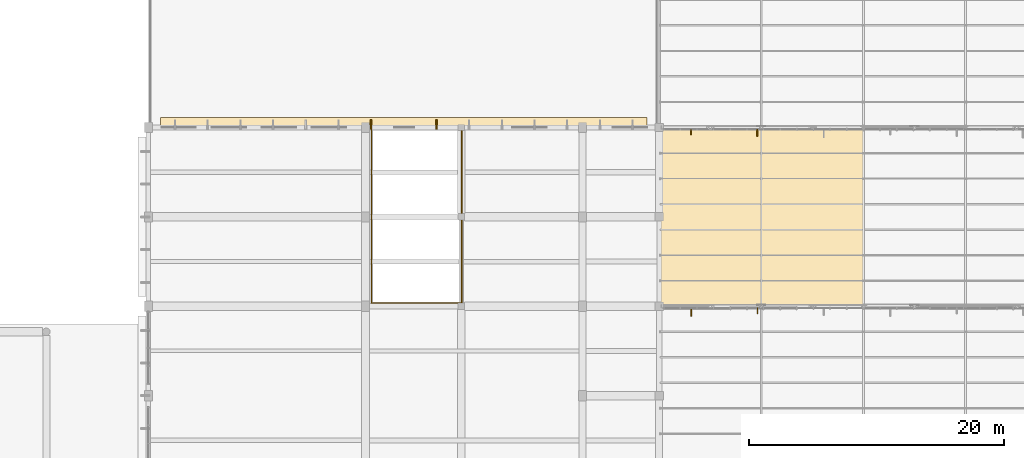
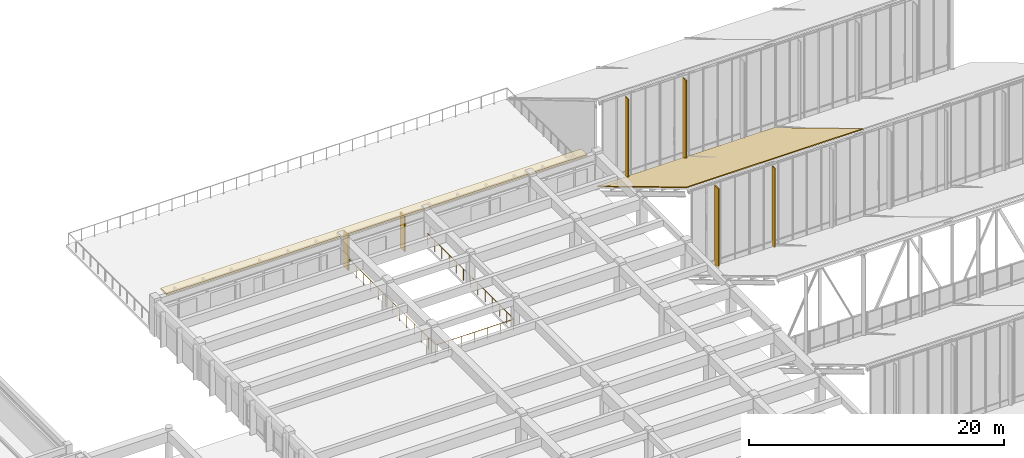
# One storey, part 153 of 155: 4 coverings, 4 shading devices, 1 railing.
"""IFC4 building model written with IfcOpenShell, lengths in metres."""

from ifc_helpers import new_model, si_unit, direction, frame, origin, origin_2d, place, context, subcontext, project, spatial, polyline, rectangle, circle, outline, extrude, material, layer, layer_set, type_object, element, save


model = new_model("IFC4")

# Units and contexts
model_context = context("Model", 3, precision=1e-05, world=origin(), true_north=direction((0.0, 1.0)))
body_context = subcontext(model_context, "Body", "Model", "MODEL_VIEW")
ifc_project = project(units=[si_unit("LENGTHUNIT", "METRE"), si_unit("AREAUNIT", "SQUARE_METRE"), si_unit("VOLUMEUNIT", "CUBIC_METRE"), si_unit("PLANEANGLEUNIT", "RADIAN"), si_unit("MASSUNIT", "GRAM", prefix="KILO")], contexts=[model_context])

# Site, building, storey
site_placement = place(None, origin())
site = spatial("IfcSite", under=ifc_project, at=site_placement, CompositionType="ELEMENT")
building_placement = place(site_placement, origin())
building = spatial("IfcBuilding", under=site, at=building_placement, Name="Larkveld Mobility Hub", CompositionType="ELEMENT")
storey_placement = place(building_placement, frame((0.0, 0.0, 8.39990234375)))
storey = spatial("IfcBuildingStorey", under=building, at=storey_placement, Name="L02", CompositionType="ELEMENT", Elevation=8.39990234375)

# Coverings
ifc_material_1 = material(Name="Precast concrete C50/60", Category="concrete")
ifc_layer_1 = layer(ifc_material_1, 0.14990234375, Name="Precast concrete C50/60", Category="concrete")
ifc_layer_set_1 = layer_set([ifc_layer_1], Name="Precast concrete C50/60")
covering_type_1 = type_object("IfcCoveringType", Name="COV-QSL-H01", PredefinedType="CLADDING", material=ifc_layer_set_1)
covering_1_placement = place(storey_placement, frame((132.0, 112.340087890625, 3.3701171875), z_axis=(0.0, 0.0, 1.0), x_axis=(-1.0, 0.0, 0.0)))
element("IfcCovering", 1, at=covering_1_placement, inside=storey, type_object=covering_type_1, Name="Precast Quebra-Sol Horizontal Sunbreaker QSH-485", PredefinedType="CLADDING", context=body_context, shape_type="SweptSolid", body=[
    extrude(rectangle(XDim=38.10009765625, YDim=0.919921875, at=origin_2d()), origin(), (0.0, 0.0, 1.0), 0.14990234375),
])
ifc_layer_2 = layer(ifc_material_1, 0.1201171875, Name="Precast concrete C50/60", Category="concrete")
ifc_layer_set_2 = layer_set([ifc_layer_2], Name="Precast concrete C50/60")
covering_type_2 = type_object("IfcCoveringType", Name="COV-QSL-V01", PredefinedType="CLADDING", material=ifc_layer_set_2)
for number, where, z_axis, x_axis, name in (
    (2, (134.56005859375, 112.239990234375, -0.019287109375), (0.0, 0.0, 1.0), (-1.0, 0.0, 0.0), "Precast Quebra-Sol Vertical Fin QSV-492"),
    (3, (129.43994140625, 112.239990234375, -0.019287109375), (0.0, 0.0, 1.0), (-1.0, 0.0, 0.0), "Precast Quebra-Sol Vertical Fin QSV-493"),
):
    element("IfcCovering", number, at=place(storey_placement, frame(where, z_axis=z_axis, x_axis=x_axis)), inside=storey, type_object=covering_type_2, Name=name, PredefinedType="CLADDING", context=body_context, shape_type="SweptSolid", body=[
        extrude(rectangle(XDim=0.1201171875, YDim=0.719970703125, at=origin_2d()), origin(), (0.0, 0.0, 1.0), 3.375),
    ])
ifc_material_2 = material(Name="Standing-seam zinc-alume roofing", Category="aluminium")
ifc_layer_3 = layer(ifc_material_2, 0.080078125, Name="Standing-seam zinc-alume roofing", Category="aluminium")
ifc_layer_set_3 = layer_set([ifc_layer_3], Name="Standing-seam zinc-alume roofing")
covering_type_3 = type_object("IfcCoveringType", Name="COV-RFG-01", PredefinedType="ROOFING", material=ifc_layer_set_3)
covering_2_placement = place(storey_placement, frame((152.0, 98.0, 8.482177734375), z_axis=(0.0, 0.51450235251, 0.857488967429), x_axis=(1.0, 0.0, 0.0)))
element("IfcCovering", 4, at=covering_2_placement, inside=storey, type_object=covering_type_3, Name="Sawtooth Standing-Seam Metal Roof B6.1", PredefinedType="ROOFING", context=body_context, shape_type="SweptSolid", body=[
    extrude(outline(polyline([(0.0, 0.0), (16.0, 0.0), (16.0, 16.326740671639204), (0.0, 16.326740671639204), (0.0, 0.0)])), origin(), (0.0, 0.0, -1.0), 0.080078125),
])

# Railing
ifc_material_3 = material(Name="Galvanized Steel S355JR void balustrade", Category="steel")
railing_type = type_object("IfcRailingType", Name="RL-GRD-1120", PredefinedType="GUARDRAIL", material=ifc_material_3)
railing_placement = place(storey_placement, frame((129.4599609375, 111.820068359375, 0.0)))
element("IfcRailing", 5, at=railing_placement, inside=storey, type_object=railing_type, Name="EV Ramp Void U-Guard L02 L02-061", PredefinedType="GUARDRAIL", context=body_context, shape_type="SweptSolid", body=[
    extrude(circle(Radius=0.02392578125, at=origin_2d()), frame((0.0, 0.0, 1.09619140625), z_axis=(0.0, -1.0, 0.0), x_axis=(1.0, 0.0, 0.0)), (0.0, 0.0, 1.0), 13.56005859375),
    extrude(circle(Radius=0.02392578125, at=origin_2d()), frame((0.0, -13.56005859375, 1.09619140625), z_axis=(1.0, 0.0, 0.0), x_axis=(0.0, 1.0, 0.0)), (0.0, 0.0, 1.0), 7.080078125),
    extrude(circle(Radius=0.02392578125, at=origin_2d()), frame((7.080078125, -13.56005859375, 1.09619140625), z_axis=(0.0, 1.0, 0.0), x_axis=(-1.0, 0.0, 0.0)), (0.0, 0.0, 1.0), 13.56005859375),
    extrude(circle(Radius=0.02099609375, at=origin_2d()), origin(), (0.0, 0.0, 1.0), 1.072021484375),
    extrude(circle(Radius=0.02099609375, at=origin_2d()), frame((0.0, -1.1298828125, 0.0)), (0.0, 0.0, 1.0), 1.072021484375),
    extrude(circle(Radius=0.02099609375, at=origin_2d()), frame((0.0, -2.260009765625, 0.0)), (0.0, 0.0, 1.0), 1.072021484375),
    extrude(circle(Radius=0.02099609375, at=origin_2d()), frame((0.0, -3.39013671875, 0.0)), (0.0, 0.0, 1.0), 1.072021484375),
    extrude(circle(Radius=0.02099609375, at=origin_2d()), frame((0.0, -4.52001953125, 0.0)), (0.0, 0.0, 1.0), 1.072021484375),
    extrude(circle(Radius=0.02099609375, at=origin_2d()), frame((0.0, -5.64990234375, 0.0)), (0.0, 0.0, 1.0), 1.072021484375),
    extrude(circle(Radius=0.02099609375, at=origin_2d()), frame((0.0, -6.780029296875, 0.0)), (0.0, 0.0, 1.0), 1.072021484375),
    extrude(circle(Radius=0.02099609375, at=origin_2d()), frame((0.0, -7.91015625, 0.0)), (0.0, 0.0, 1.0), 1.072021484375),
    extrude(circle(Radius=0.02099609375, at=origin_2d()), frame((0.0, -9.0400390625, 0.0)), (0.0, 0.0, 1.0), 1.072021484375),
    extrude(circle(Radius=0.02099609375, at=origin_2d()), frame((0.0, -10.169921875, 0.0)), (0.0, 0.0, 1.0), 1.072021484375),
    extrude(circle(Radius=0.02099609375, at=origin_2d()), frame((0.0, -11.300048828125, 0.0)), (0.0, 0.0, 1.0), 1.072021484375),
    extrude(circle(Radius=0.02099609375, at=origin_2d()), frame((0.0, -12.43017578125, 0.0)), (0.0, 0.0, 1.0), 1.072021484375),
    extrude(circle(Radius=0.02099609375, at=origin_2d()), frame((0.0, -13.56005859375, 0.0)), (0.0, 0.0, 1.0), 1.072021484375),
    extrude(circle(Radius=0.02099609375, at=origin_2d()), frame((1.179931640625, -13.56005859375, 0.0)), (0.0, 0.0, 1.0), 1.072021484375),
    extrude(circle(Radius=0.02099609375, at=origin_2d()), frame((2.360107421875, -13.56005859375, 0.0)), (0.0, 0.0, 1.0), 1.072021484375),
    extrude(circle(Radius=0.02099609375, at=origin_2d()), frame((3.5400390625, -13.56005859375, 0.0)), (0.0, 0.0, 1.0), 1.072021484375),
    extrude(circle(Radius=0.02099609375, at=origin_2d()), frame((4.719970703125, -13.56005859375, 0.0)), (0.0, 0.0, 1.0), 1.072021484375),
    extrude(circle(Radius=0.02099609375, at=origin_2d()), frame((5.900146484375, -13.56005859375, 0.0)), (0.0, 0.0, 1.0), 1.072021484375),
    extrude(circle(Radius=0.02099609375, at=origin_2d()), frame((7.080078125, -13.56005859375, 0.0)), (0.0, 0.0, 1.0), 1.072021484375),
    extrude(circle(Radius=0.02099609375, at=origin_2d()), frame((7.080078125, -12.43017578125, 0.0)), (0.0, 0.0, 1.0), 1.072021484375),
    extrude(circle(Radius=0.02099609375, at=origin_2d()), frame((7.080078125, -11.300048828125, 0.0)), (0.0, 0.0, 1.0), 1.072021484375),
    extrude(circle(Radius=0.02099609375, at=origin_2d()), frame((7.080078125, -10.169921875, 0.0)), (0.0, 0.0, 1.0), 1.072021484375),
    extrude(circle(Radius=0.02099609375, at=origin_2d()), frame((7.080078125, -9.0400390625, 0.0)), (0.0, 0.0, 1.0), 1.072021484375),
    extrude(circle(Radius=0.02099609375, at=origin_2d()), frame((7.080078125, -7.91015625, 0.0)), (0.0, 0.0, 1.0), 1.072021484375),
    extrude(circle(Radius=0.02099609375, at=origin_2d()), frame((7.080078125, -6.780029296875, 0.0)), (0.0, 0.0, 1.0), 1.072021484375),
    extrude(circle(Radius=0.02099609375, at=origin_2d()), frame((7.080078125, -5.64990234375, 0.0)), (0.0, 0.0, 1.0), 1.072021484375),
    extrude(circle(Radius=0.02099609375, at=origin_2d()), frame((7.080078125, -4.52001953125, 0.0)), (0.0, 0.0, 1.0), 1.072021484375),
    extrude(circle(Radius=0.02099609375, at=origin_2d()), frame((7.080078125, -3.39013671875, 0.0)), (0.0, 0.0, 1.0), 1.072021484375),
    extrude(circle(Radius=0.02099609375, at=origin_2d()), frame((7.080078125, -2.260009765625, 0.0)), (0.0, 0.0, 1.0), 1.072021484375),
    extrude(circle(Radius=0.02099609375, at=origin_2d()), frame((7.080078125, -1.1298828125, 0.0)), (0.0, 0.0, 1.0), 1.072021484375),
    extrude(circle(Radius=0.02099609375, at=origin_2d()), frame((7.080078125, 0.0, 0.0)), (0.0, 0.0, 1.0), 1.072021484375),
])

# Shading devices
ifc_layer_4 = layer(ifc_material_1, 0.06494140625, Name="Precast concrete C50/60", Category="concrete")
ifc_layer_set_4 = layer_set([ifc_layer_4], Name="Precast concrete C50/60")
shading_device_type_1 = type_object("IfcShadingDeviceType", Name="SHD-JAL-01", PredefinedType="JALOUSIE", material=ifc_layer_set_4)
for number, where, z_axis, x_axis, name in (
    (6, (159.699951171875, 97.639892578125, 0.300048828125), (0.0, 0.0, 1.0), (1.0, 0.0, 0.0), "Sawtooth South-Light Brise-Soleil Fin SF-032"),
    (7, (154.5, 111.639892578125, 0.300048828125), (0.0, 0.0, 1.0), (1.0, 0.0, 0.0), "Sawtooth South-Light Brise-Soleil Fin SF-037"),
):
    element("IfcShadingDevice", number, at=place(storey_placement, frame(where, z_axis=z_axis, x_axis=x_axis)), inside=storey, type_object=shading_device_type_1, Name=name, PredefinedType="JALOUSIE", context=body_context, shape_type="SweptSolid", body=[
        extrude(rectangle(XDim=0.06494140625, YDim=0.449951171875, at=origin_2d()), origin(), (0.0, 0.0, 1.0), 7.60009765625),
    ])
ifc_layer_5 = layer(ifc_material_1, 0.074951171875, Name="Precast concrete C50/60", Category="concrete")
ifc_layer_set_5 = layer_set([ifc_layer_5], Name="Precast concrete C50/60")
shading_device_type_2 = type_object("IfcShadingDeviceType", Name="SHD-JAL-02", PredefinedType="JALOUSIE", material=ifc_layer_set_5)
shading_device_1_placement = place(storey_placement, frame((159.699951171875, 111.590087890625, 0.300048828125), z_axis=(0.0, 0.0, 1.0), x_axis=(1.0, 0.0, 0.0)))
element("IfcShadingDevice", 8, at=shading_device_1_placement, inside=storey, type_object=shading_device_type_2, Name="Sawtooth South-Light Brise-Soleil Fin SF-038", PredefinedType="JALOUSIE", context=body_context, shape_type="SweptSolid", body=[
    extrude(rectangle(XDim=0.074951171875, YDim=0.550048828125, at=origin_2d()), origin(), (0.0, 0.0, 1.0), 7.60009765625),
])
ifc_layer_6 = layer(ifc_material_1, 0.0849609375, Name="Precast concrete C50/60", Category="concrete")
ifc_layer_set_6 = layer_set([ifc_layer_6], Name="Precast concrete C50/60")
shading_device_type_3 = type_object("IfcShadingDeviceType", Name="SHD-JAL-03", PredefinedType="JALOUSIE", material=ifc_layer_set_6)
shading_device_2_placement = place(storey_placement, frame((154.5, 97.5400390625, 0.300048828125), z_axis=(0.0, 0.0, 1.0), x_axis=(1.0, 0.0, 0.0)))
element("IfcShadingDevice", 9, at=shading_device_2_placement, inside=storey, type_object=shading_device_type_3, Name="Sawtooth South-Light Brise-Soleil Fin SF-031", PredefinedType="JALOUSIE", context=body_context, shape_type="SweptSolid", body=[
    extrude(rectangle(XDim=0.0849609375, YDim=0.64990234375, at=origin_2d()), origin(), (0.0, 0.0, 1.0), 7.60009765625),
])

save(model, "model.ifc")
